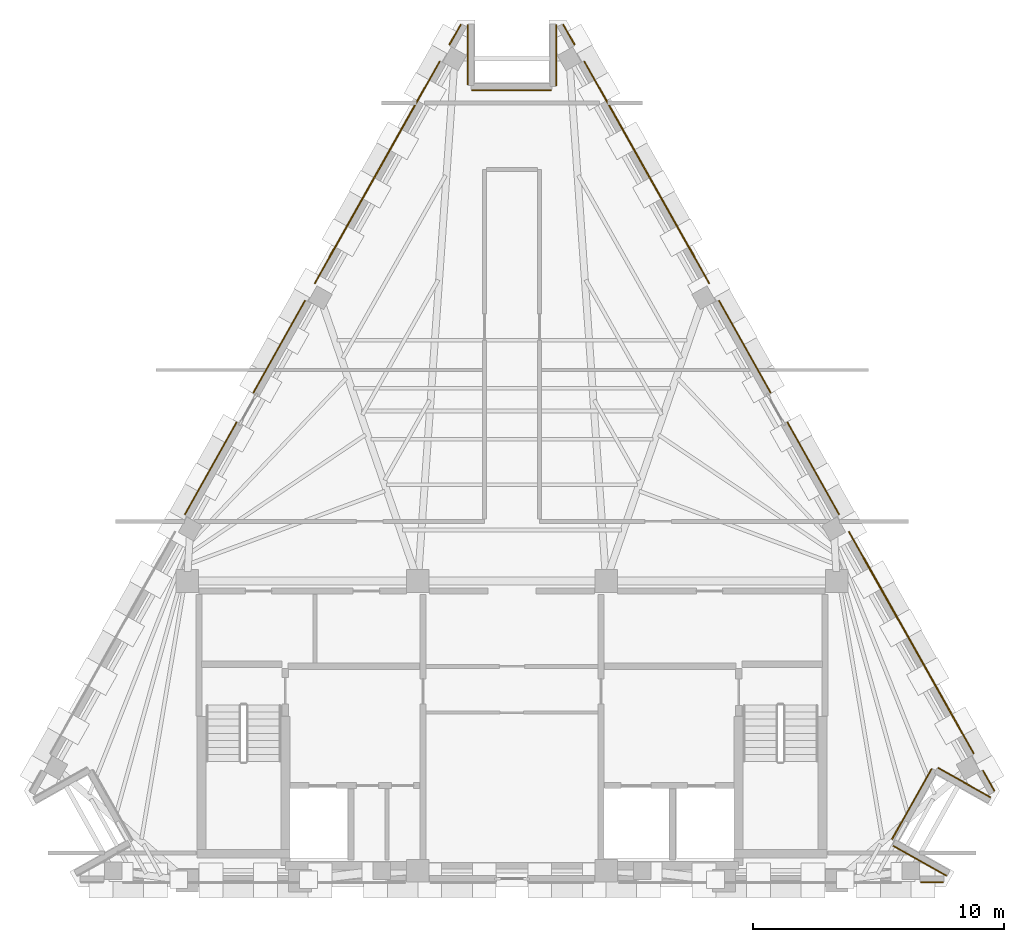
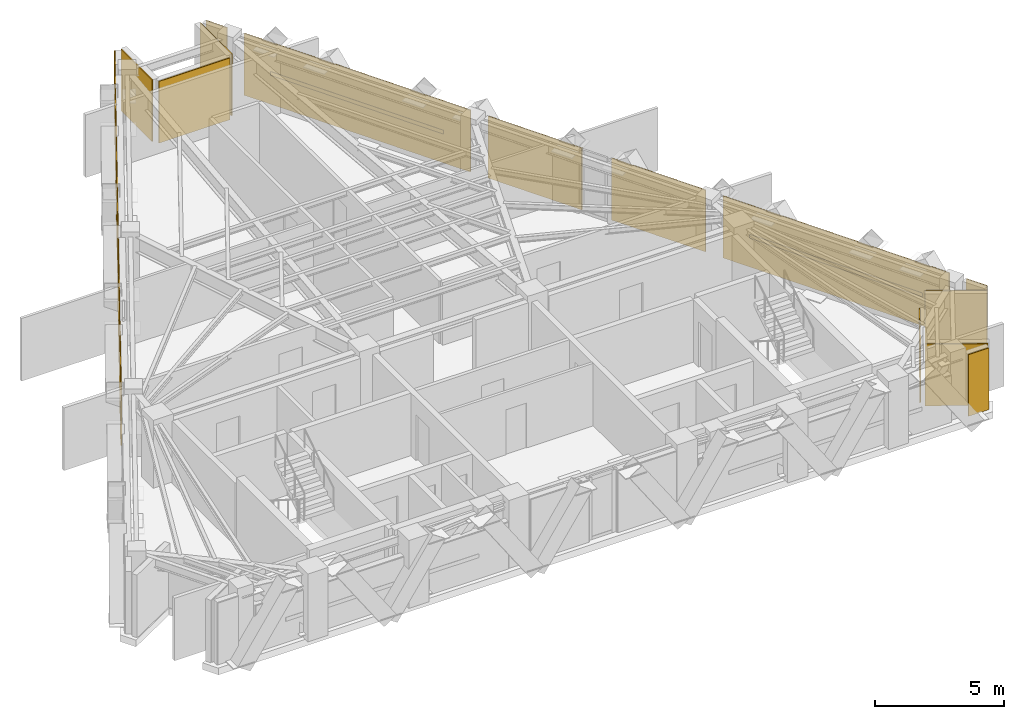
# One storey, part 7 of 7: 17 coverings, 3 shading devices.
"""IFC4 building model written with IfcOpenShell, lengths in metres."""

from ifc_helpers import new_model, si_unit, direction, frame, origin, origin_2d, place, context, subcontext, project, spatial, polyline, rectangle, outline, extrude, material, layer, layer_set, material_profile, profile_set, type_object, element, save


model = new_model("IFC4")

# Units and contexts
model_context = context("Model", 3, precision=1e-05, world=origin(), true_north=direction((0.0, 1.0)))
body_context = subcontext(model_context, "Body", "Model", "MODEL_VIEW")
ifc_project = project(units=[si_unit("LENGTHUNIT", "METRE"), si_unit("AREAUNIT", "SQUARE_METRE"), si_unit("VOLUMEUNIT", "CUBIC_METRE"), si_unit("PLANEANGLEUNIT", "RADIAN"), si_unit("MASSUNIT", "GRAM", prefix="KILO")], contexts=[model_context])

# Site, building, storey
site_placement = place(None, origin())
site = spatial("IfcSite", under=ifc_project, at=site_placement, CompositionType="ELEMENT")
building_placement = place(site_placement, origin())
building = spatial("IfcBuilding", under=site, at=building_placement, Name="Quenlor Broadcast Tower", CompositionType="ELEMENT")
storey_placement = place(building_placement, frame((0.0, 0.0, 280.5)))
storey = spatial("IfcBuildingStorey", under=building, at=storey_placement, Name="L78", CompositionType="ELEMENT", Elevation=280.5)

# Coverings
ifc_material_1 = material(Name="Architectural Terracotta Ceramic", Category="masonry")
ifc_layer = layer(ifc_material_1, 0.044921875)
ifc_layer_set = layer_set([ifc_layer], Name="Fluted Terracotta Rainscreen Cladding Panel")
covering_type = type_object("IfcCoveringType", Name="Fluted Terracotta Rainscreen Cladding Panel", PredefinedType="CLADDING", material=ifc_layer_set)
covering_1_placement = place(storey_placement, frame((0.0, 0.0, 0.02001953125)))
element("IfcCovering", 1, at=covering_1_placement, inside=storey, type_object=covering_type, Name="L78 Terracotta Rainscreen Cladding L78-SHD-SS0", PredefinedType="CLADDING", context=body_context, shape_type="SweptSolid", body=[
    extrude(outline(polyline([(17.18994140625, -16.787109375), (16.28271484375, -16.787109375), (16.28271484375, -16.83203125), (17.18994140625, -16.83203125), (17.18994140625, -16.787109375)])), origin(), (0.0, 0.0, 1.0), 2.909912109375),
])
covering_2_placement = place(storey_placement, frame((0.0, 0.0, 0.02001953125)))
element("IfcCovering", 2, at=covering_2_placement, inside=storey, type_object=covering_type, Name="L78 Terracotta Rainscreen Cladding L78-SHD-NES0", PredefinedType="CLADDING", context=body_context, shape_type="SweptSolid", body=[
    extrude(outline(polyline([(2.018310546875, 17.377197265625), (2.476806640625, 16.5625), (2.51611328125, 16.58447265625), (2.0576171875, 17.399169921875), (2.018310546875, 17.377197265625)])), origin(), (0.0, 0.0, 1.0), 2.909912109375),
])
covering_3_placement = place(storey_placement, frame((0.0, 0.0, 0.02001953125)))
element("IfcCovering", 3, at=covering_3_placement, inside=storey, type_object=covering_type, Name="L78 Terracotta Rainscreen Cladding L78-SHD-NES1", PredefinedType="CLADDING", context=body_context, shape_type="SweptSolid", body=[
    extrude(outline(polyline([(18.751708984375, -12.37109375), (19.210205078125, -13.185791015625), (19.24951171875, -13.163818359375), (18.791015625, -12.34912109375), (18.751708984375, -12.37109375)])), origin(), (0.0, 0.0, 1.0), 2.909912109375),
])
covering_4_placement = place(storey_placement, frame((0.0, 0.0, 0.02001953125)))
element("IfcCovering", 4, at=covering_4_placement, inside=storey, type_object=covering_type, Name="L78 Terracotta Rainscreen Cladding L78-EW-NEA", PredefinedType="CLADDING", context=body_context, shape_type="SweptSolid", body=[
    extrude(outline(polyline([(2.86279296875, 15.896240234375), (7.84228515625, 7.044189453125), (7.881591796875, 7.066162109375), (2.902099609375, 15.918212890625), (2.86279296875, 15.896240234375)])), origin(), (0.0, 0.0, 1.0), 2.909912109375),
])
covering_5_placement = place(storey_placement, frame((0.0, 0.0, 0.02001953125)))
element("IfcCovering", 5, at=covering_5_placement, inside=storey, type_object=covering_type, Name="L78 Terracotta Rainscreen Cladding L78-EW-NEC", PredefinedType="CLADDING", context=body_context, shape_type="SweptSolid", body=[
    extrude(outline(polyline([(13.40380859375, -2.843017578125), (18.383056640625, -11.695068359375), (18.42236328125, -11.673095703125), (13.443115234375, -2.821044921875), (13.40380859375, -2.843017578125)])), origin(), (0.0, 0.0, 1.0), 2.909912109375),
])
covering_6_placement = place(storey_placement, frame((0.0, 0.0, 0.02001953125)))
element("IfcCovering", 6, at=covering_6_placement, inside=storey, type_object=covering_type, Name="L78 Terracotta Rainscreen Cladding L78-NE-SP1", PredefinedType="CLADDING", context=body_context, shape_type="SweptSolid", body=[
    extrude(outline(polyline([(8.22705078125, 6.35986328125), (10.294677734375, 2.68408203125), (10.333984375, 2.706298828125), (8.266357421875, 6.3818359375), (8.22705078125, 6.35986328125)])), origin(), (0.0, 0.0, 1.0), 2.909912109375),
])
covering_7_placement = place(storey_placement, frame((0.0, 0.0, 0.02001953125)))
element("IfcCovering", 7, at=covering_7_placement, inside=storey, type_object=covering_type, Name="L78 Terracotta Rainscreen Cladding L78-NE-SP2", PredefinedType="CLADDING", context=body_context, shape_type="SweptSolid", body=[
    extrude(outline(polyline([(10.951416015625, 1.51708984375), (13.018798828125, -2.15869140625), (13.05810546875, -2.13671875), (10.990478515625, 1.5390625), (10.951416015625, 1.51708984375)])), origin(), (0.0, 0.0, 1.0), 2.909912109375),
])
covering_8_placement = place(storey_placement, frame((0.0, 0.0, 0.02001953125)))
element("IfcCovering", 8, at=covering_8_placement, inside=storey, type_object=covering_type, Name="L78 Terracotta Rainscreen Cladding L78-SHD-NWS1", PredefinedType="CLADDING", context=body_context, shape_type="SweptSolid", body=[
    extrude(outline(polyline([(-2.476806640625, 16.5625), (-2.018310546875, 17.377197265625), (-2.0576171875, 17.399169921875), (-2.51611328125, 16.58447265625), (-2.476806640625, 16.5625)])), origin(), (0.0, 0.0, 1.0), 2.909912109375),
])
covering_9_placement = place(storey_placement, frame((0.0, 0.0, 0.02001953125)))
element("IfcCovering", 9, at=covering_9_placement, inside=storey, type_object=covering_type, Name="L78 Terracotta Rainscreen Cladding L78-EW-NWC", PredefinedType="CLADDING", context=body_context, shape_type="SweptSolid", body=[
    extrude(outline(polyline([(-7.84228515625, 7.044189453125), (-2.86279296875, 15.896240234375), (-2.902099609375, 15.918212890625), (-7.881591796875, 7.066162109375), (-7.84228515625, 7.044189453125)])), origin(), (0.0, 0.0, 1.0), 2.909912109375),
])
covering_10_placement = place(storey_placement, frame((0.0, 0.0, 0.02001953125)))
element("IfcCovering", 10, at=covering_10_placement, inside=storey, type_object=covering_type, Name="L78 Terracotta Rainscreen Cladding L78-NW-SP1", PredefinedType="CLADDING", context=body_context, shape_type="SweptSolid", body=[
    extrude(outline(polyline([(-13.018798828125, -2.15869140625), (-10.951416015625, 1.51708984375), (-10.990478515625, 1.5390625), (-13.05810546875, -2.13671875), (-13.018798828125, -2.15869140625)])), origin(), (0.0, 0.0, 1.0), 2.909912109375),
])
covering_11_placement = place(storey_placement, frame((0.0, 0.0, 0.02001953125)))
element("IfcCovering", 11, at=covering_11_placement, inside=storey, type_object=covering_type, Name="L78 Terracotta Rainscreen Cladding L78-NW-SP2", PredefinedType="CLADDING", context=body_context, shape_type="SweptSolid", body=[
    extrude(outline(polyline([(-10.294677734375, 2.68408203125), (-8.22705078125, 6.35986328125), (-8.266357421875, 6.3818359375), (-10.333984375, 2.706298828125), (-10.294677734375, 2.68408203125)])), origin(), (0.0, 0.0, 1.0), 2.909912109375),
])
covering_12_placement = place(storey_placement, frame((0.0, 0.0, 0.02001953125)))
element("IfcCovering", 12, at=covering_12_placement, inside=storey, type_object=covering_type, Name="L78 Terracotta Rainscreen Cladding L78-CNR-01", PredefinedType="CLADDING", context=body_context, shape_type="SweptSolid", body=[
    extrude(outline(polyline([(17.32666015625, -16.529541015625), (15.199951171875, -15.333251953125), (15.177978515625, -15.372314453125), (17.3046875, -16.568603515625), (17.32666015625, -16.529541015625)])), origin(), (0.0, 0.0, 1.0), 2.909912109375),
])
covering_13_placement = place(storey_placement, frame((0.0, 0.0, 0.02001953125)))
element("IfcCovering", 13, at=covering_13_placement, inside=storey, type_object=covering_type, Name="L78 Terracotta Rainscreen Cladding L78-CNR-02", PredefinedType="CLADDING", context=body_context, shape_type="SweptSolid", body=[
    extrude(outline(polyline([(15.16552734375, -15.10498046875), (16.7421875, -12.302001953125), (16.702880859375, -12.280029296875), (15.126220703125, -15.0830078125), (15.16552734375, -15.10498046875)])), origin(), (0.0, 0.0, 1.0), 2.194091796875),
])
covering_14_placement = place(storey_placement, frame((0.0, 0.0, 0.02001953125)))
element("IfcCovering", 14, at=covering_14_placement, inside=storey, type_object=covering_type, Name="L78 Terracotta Rainscreen Cladding L78-CNR-03", PredefinedType="CLADDING", context=body_context, shape_type="SweptSolid", body=[
    extrude(outline(polyline([(16.970458984375, -12.267578125), (19.062255859375, -13.444091796875), (19.084228515625, -13.405029296875), (16.992431640625, -12.228271484375), (16.970458984375, -12.267578125)])), origin(), (0.0, 0.0, 1.0), 2.909912109375),
])
covering_15_placement = place(storey_placement, frame((0.0, 0.0, 0.02001953125)))
element("IfcCovering", 15, at=covering_15_placement, inside=storey, type_object=covering_type, Name="L78 Terracotta Rainscreen Cladding L78-CNR-07", PredefinedType="CLADDING", context=body_context, shape_type="SweptSolid", body=[
    extrude(outline(polyline([(1.74072265625, 17.3701171875), (1.74072265625, 14.929931640625), (1.785888671875, 14.929931640625), (1.785888671875, 17.3701171875), (1.74072265625, 17.3701171875)])), origin(), (0.0, 0.0, 1.0), 2.909912109375),
])
covering_16_placement = place(storey_placement, frame((0.0, 0.0, 0.02001953125)))
element("IfcCovering", 16, at=covering_16_placement, inside=storey, type_object=covering_type, Name="L78 Terracotta Rainscreen Cladding L78-CNR-08", PredefinedType="CLADDING", context=body_context, shape_type="SweptSolid", body=[
    extrude(outline(polyline([(1.558837890625, 14.7880859375), (-1.598876953125, 14.7880859375), (-1.598876953125, 14.742919921875), (1.558837890625, 14.742919921875), (1.558837890625, 14.7880859375)])), origin(), (0.0, 0.0, 1.0), 2.909912109375),
])
covering_17_placement = place(storey_placement, frame((0.0, 0.0, 0.02001953125)))
element("IfcCovering", 17, at=covering_17_placement, inside=storey, type_object=covering_type, Name="L78 Terracotta Rainscreen Cladding L78-CNR-09", PredefinedType="CLADDING", context=body_context, shape_type="SweptSolid", body=[
    extrude(outline(polyline([(-1.74072265625, 14.969970703125), (-1.74072265625, 17.3701171875), (-1.785888671875, 17.3701171875), (-1.785888671875, 14.969970703125), (-1.74072265625, 14.969970703125)])), origin(), (0.0, 0.0, 1.0), 2.909912109375),
])

# Shading devices
ifc_material_2 = material(Name="Architectural Terracotta Ceramic", Category="masonry")
ifc_material_profile = material_profile(ifc_material_2, rectangle(XDim=0.06005859375, YDim=0.179931640625, at=origin_2d()))
ifc_profile_set = profile_set([ifc_material_profile], Name="Architectural Terracotta Ceramic LVR60x180")
shading_device_type = type_object("IfcShadingDeviceType", Name="Terracotta Acoustic Plant Weather Louvre 180", PredefinedType="JALOUSIE", material=ifc_profile_set)
shading_device_1_placement = place(storey_placement, frame((3.471923828125, 14.866455078125, 1.47509765625), z_axis=(0.490262732485, -0.871574697393, 0.0), x_axis=(0.871574697393, 0.490262732485, 0.0)))
element("IfcShadingDevice", 18, at=shading_device_1_placement, inside=storey, type_object=shading_device_type, Name="L78 Plant Weather Louvre L78-LV-NEA", PredefinedType="JALOUSIE", context=body_context, shape_type="SweptSolid", body=[
    extrude(rectangle(XDim=0.06005859375, YDim=0.179931640625, at=origin_2d()), origin(), (0.0, 0.0, 1.0), 7.764404296875),
])
shading_device_2_placement = place(storey_placement, frame((14.0126953125, -3.872802734375, 1.47509765625), z_axis=(0.490276168503, -0.871567139467, 0.0), x_axis=(0.871567139467, 0.490276168503, 0.0)))
element("IfcShadingDevice", 19, at=shading_device_2_placement, inside=storey, type_object=shading_device_type, Name="L78 Plant Weather Louvre L78-LV-NEC", PredefinedType="JALOUSIE", context=body_context, shape_type="SweptSolid", body=[
    extrude(rectangle(XDim=0.06005859375, YDim=0.179931640625, at=origin_2d()), origin(), (0.0, 0.0, 1.0), 7.76416015625),
])
shading_device_3_placement = place(storey_placement, frame((-7.278564453125, 8.09912109375, 1.47509765625), z_axis=(0.490262732485, 0.871574697393, 0.0), x_axis=(-0.871574697393, 0.490262732485, 0.0)))
element("IfcShadingDevice", 20, at=shading_device_3_placement, inside=storey, type_object=shading_device_type, Name="L78 Plant Weather Louvre L78-LV-NWC", PredefinedType="JALOUSIE", context=body_context, shape_type="SweptSolid", body=[
    extrude(rectangle(XDim=0.06005859375, YDim=0.179931640625, at=origin_2d()), origin(), (0.0, 0.0, 1.0), 7.764404296875),
])

save(model, "model.ifc")
